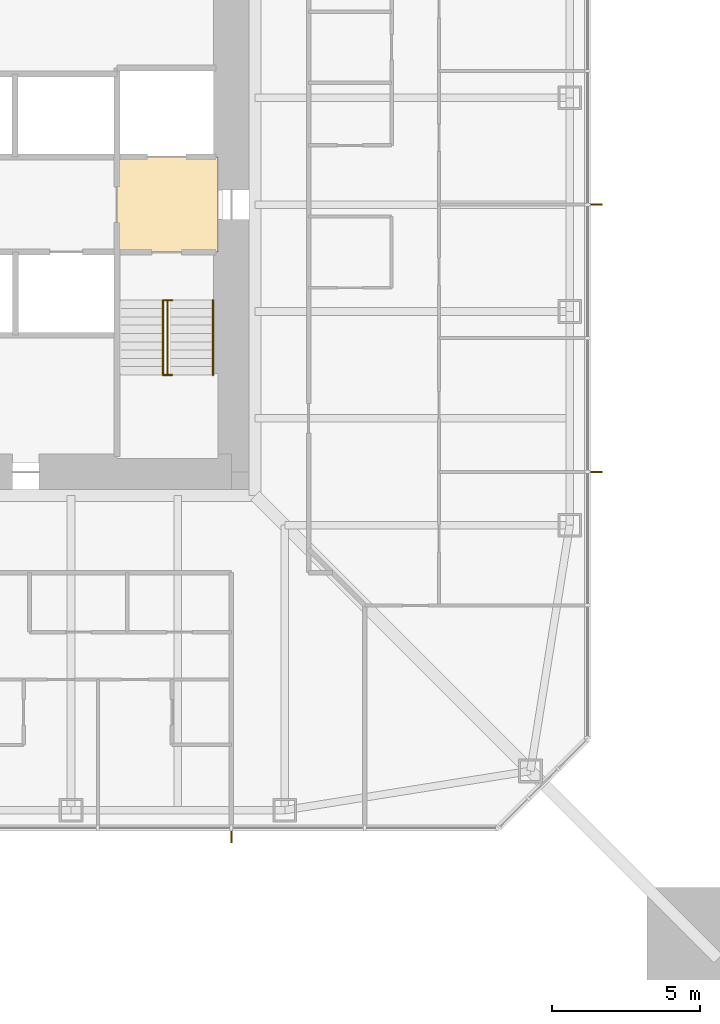
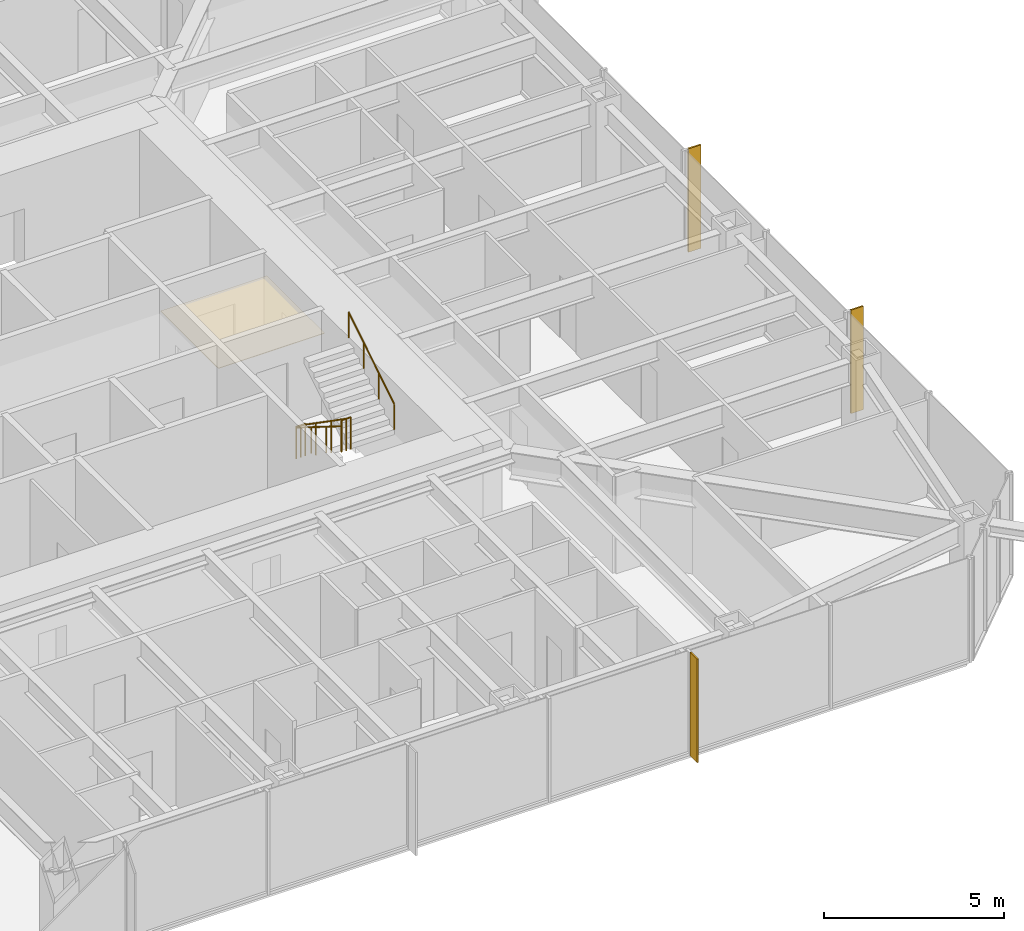
# One storey, part 23 of 25: 3 railings, 3 shading devices, 1 covering.
"""IFC4 building model written with IfcOpenShell, lengths in metres."""

from ifc_helpers import new_model, si_unit, direction, frame, origin, origin_2d, place, context, subcontext, project, spatial, polyline, rectangle, circle, outline, extrude, material, layer, layer_set, constituent, constituent_set, type_object, element, save


model = new_model("IFC4")

# Units and contexts
model_context = context("Model", 3, precision=1e-05, world=origin(), true_north=direction((0.0, 1.0)))
body_context = subcontext(model_context, "Body", "Model", "MODEL_VIEW")
ifc_project = project(units=[si_unit("LENGTHUNIT", "METRE"), si_unit("AREAUNIT", "SQUARE_METRE"), si_unit("VOLUMEUNIT", "CUBIC_METRE"), si_unit("PLANEANGLEUNIT", "RADIAN"), si_unit("MASSUNIT", "GRAM", prefix="KILO")], contexts=[model_context])

# Site, building, storey
site_placement = place(None, origin())
site = spatial("IfcSite", under=ifc_project, at=site_placement, CompositionType="ELEMENT")
building_placement = place(site_placement, origin())
building = spatial("IfcBuilding", under=site, at=building_placement, Name="Iwan Alto Co-Living Towers", CompositionType="ELEMENT")
storey_placement = place(building_placement, frame((0.0, 0.0, 87.5)))
storey = spatial("IfcBuildingStorey", under=building, at=storey_placement, Name="L23", CompositionType="ELEMENT", Elevation=87.5)

# Covering
ifc_material_1 = material(Name="Mineral fibre acoustic tiles on steel grid", Category="steel")
ifc_layer_1 = layer(ifc_material_1, 0.02001953125)
ifc_layer_set_1 = layer_set([ifc_layer_1], Name="ACOUSTIC TILE CEILING 20")
covering_type = type_object("IfcCoveringType", Name="ACOUSTIC TILE CEILING 20", PredefinedType="CEILING", material=ifc_layer_set_1)
covering_placement = place(storey_placement, frame((0.0, 0.0, 2.60009765625)))
element("IfcCovering", 1, at=covering_placement, inside=storey, type_object=covering_type, Name="Ceiling Firefighting lobby L23", PredefinedType="CEILING", context=body_context, shape_type="SweptSolid", body=[
    extrude(outline(polyline([(5.14990234375, -1.60009765625), (5.14990234375, 1.60009765625), (8.550048828125, 1.60009765625), (8.550048828125, -1.60009765625), (5.14990234375, -1.60009765625)])), origin(), (0.0, 0.0, 1.0), 0.02001953125),
])

# Shading devices
ifc_material_2 = material(Name="Aluminium 6063-T6 bronze anodised", Category="aluminium")
ifc_layer_2 = layer(ifc_material_2, 0.050048828125)
ifc_layer_set_2 = layer_set([ifc_layer_2], Name="BRONZE FIN 50X400")
shading_device_type = type_object("IfcShadingDeviceType", Name="BRONZE FIN 50X400", PredefinedType="USERDEFINED", material=ifc_layer_set_2)
for number, where, z_axis, x_axis, name in (
    (2, (9.0, -21.300048828125, 0.0), (0.0, 0.0, 1.0), (1.0, 0.0, 0.0), "Bronze fin L23"),
    (3, (21.300048828125, -9.0, 0.0), (0.0, 0.0, 1.0), (0.0, 1.0, 0.0), "Bronze fin L23"),
    (4, (21.300048828125, 0.0, 0.0), (0.0, 0.0, 1.0), (0.0, 1.0, 0.0), "Bronze fin L23"),
):
    element("IfcShadingDevice", number, at=place(storey_placement, frame(where, z_axis=z_axis, x_axis=x_axis)), inside=storey, type_object=shading_device_type, Name=name, ObjectType="LOUVER", PredefinedType="USERDEFINED", context=body_context, shape_type="SweptSolid", body=[
        extrude(rectangle(XDim=0.050048828125, YDim=0.39990234375, at=origin_2d()), origin(), (0.0, 0.0, 1.0), 3.5),
    ])

# Railings
ifc_material_3 = material(Name="Steel ASTM A500 Gr C", Category="steel")
ifc_constituent_1 = constituent(ifc_material_3, Name="Rails and posts", Category="Framing")
ifc_material_4 = material(Name="Steel ASTM A36", Category="steel")
ifc_constituent_2 = constituent(ifc_material_4, Name="Bar infill", Category="Infill")
ifc_constituent_set = constituent_set(constituents=[ifc_constituent_1, ifc_constituent_2], Name="STAIR GUARD 1100")
railing_type_1 = type_object("IfcRailingType", Name="STAIR GUARD 1100", PredefinedType="GUARDRAIL", material=ifc_constituent_set)
railing_1_placement = place(storey_placement, frame((6.85009765625, -3.219970703125, 0.0)))
element("IfcRailing", 5, at=railing_1_placement, inside=storey, type_object=railing_type_1, Name="Stair T1-S2 well guard L23", PredefinedType="GUARDRAIL", context=body_context, shape_type="SweptSolid", body=[
    extrude(circle(Radius=0.02392578125, at=origin_2d()), frame((0.0, 0.0, 1.076171875), z_axis=(0.0, -0.821372036852, 0.570392826987), x_axis=(1.0, 0.0, 0.0)), (0.0, 0.0, 1.0), 3.068115234375),
    extrude(circle(Radius=0.02392578125, at=origin_2d()), frame((-0.150146484375, 0.0, 1.076171875), z_axis=(1.0, 0.0, 0.0), x_axis=(0.0, 1.0, 0.0)), (0.0, 0.0, 1.0), 0.300048828125),
    extrude(circle(Radius=0.02392578125, at=origin_2d()), frame((-0.150146484375, -2.52001953125, 2.826171875), z_axis=(1.0, 0.0, 0.0), x_axis=(0.0, 1.0, 0.0)), (0.0, 0.0, 1.0), 0.300048828125),
    extrude(circle(Radius=0.02099609375, at=origin_2d()), origin(), (0.0, 0.0, 1.0), 1.052001953125),
    extrude(circle(Radius=0.02099609375, at=origin_2d()), frame((0.0, -0.840087890625, 0.583251953125)), (0.0, 0.0, 1.0), 1.052001953125),
    extrude(circle(Radius=0.02099609375, at=origin_2d()), frame((0.0, -1.679931640625, 1.166748046875)), (0.0, 0.0, 1.0), 1.052001953125),
    extrude(circle(Radius=0.02099609375, at=origin_2d()), frame((0.0, -2.52001953125, 1.75)), (0.0, 0.0, 1.0), 1.052001953125),
    extrude(circle(Radius=0.02099609375, at=origin_2d()), frame((-0.150146484375, 0.0, 0.0)), (0.0, 0.0, 1.0), 1.052001953125),
    extrude(circle(Radius=0.02099609375, at=origin_2d()), frame((0.14990234375, 0.0, 0.0)), (0.0, 0.0, 1.0), 1.052001953125),
    extrude(circle(Radius=0.02099609375, at=origin_2d()), frame((-0.150146484375, -2.52001953125, 1.75)), (0.0, 0.0, 1.0), 1.052001953125),
    extrude(circle(Radius=0.02099609375, at=origin_2d()), frame((0.14990234375, -2.52001953125, 1.75)), (0.0, 0.0, 1.0), 1.052001953125),
])
ifc_material_5 = material(Name="Steel ASTM A500 Gr C", Category="steel")
railing_type_2 = type_object("IfcRailingType", Name="STAIR HANDRAIL 900", PredefinedType="HANDRAIL", material=ifc_material_5)
railing_2_placement = place(storey_placement, frame((6.699951171875, -3.219970703125, 0.175048828125)))
element("IfcRailing", 6, at=railing_2_placement, inside=storey, type_object=railing_type_2, Name="Stair T1-S2 handrail 1 L23", PredefinedType="HANDRAIL", context=body_context, shape_type="SweptSolid", body=[
    extrude(circle(Radius=0.02392578125, at=origin_2d()), frame((0.0, 0.0, 0.8759765625), z_axis=(0.0, -0.848007534815, 0.529984170421), x_axis=(1.0, 0.0, 0.0)), (0.0, 0.0, 1.0), 2.9716796875),
    extrude(circle(Radius=0.02099609375, at=origin_2d()), origin(), (0.0, 0.0, 1.0), 0.851806640625),
    extrude(circle(Radius=0.02099609375, at=origin_2d()), frame((0.0, -0.840087890625, 0.52490234375)), (0.0, 0.0, 1.0), 0.851806640625),
    extrude(circle(Radius=0.02099609375, at=origin_2d()), frame((0.0, -1.679931640625, 1.050048828125)), (0.0, 0.0, 1.0), 0.851806640625),
    extrude(circle(Radius=0.02099609375, at=origin_2d()), frame((0.0, -2.52001953125, 1.574951171875)), (0.0, 0.0, 1.0), 0.851806640625),
])
railing_3_placement = place(storey_placement, frame((8.3798828125, -5.739990234375, 1.925048828125)))
element("IfcRailing", 7, at=railing_3_placement, inside=storey, type_object=railing_type_2, Name="Stair T1-S2 handrail 2 L23", PredefinedType="HANDRAIL", context=body_context, shape_type="SweptSolid", body=[
    extrude(circle(Radius=0.02392578125, at=origin_2d()), frame((0.0, 0.0, 0.8759765625), z_axis=(0.0, 0.848007534815, 0.529984170421), x_axis=(-1.0, 0.0, 0.0)), (0.0, 0.0, 1.0), 2.9716796875),
    extrude(circle(Radius=0.02099609375, at=origin_2d()), origin(), (0.0, 0.0, 1.0), 0.851806640625),
    extrude(circle(Radius=0.02099609375, at=origin_2d()), frame((0.0, 0.840087890625, 0.52490234375)), (0.0, 0.0, 1.0), 0.851806640625),
    extrude(circle(Radius=0.02099609375, at=origin_2d()), frame((0.0, 1.679931640625, 1.050048828125)), (0.0, 0.0, 1.0), 0.851806640625),
    extrude(circle(Radius=0.02099609375, at=origin_2d()), frame((0.0, 2.52001953125, 1.574951171875)), (0.0, 0.0, 1.0), 0.851806640625),
])

save(model, "model.ifc")
